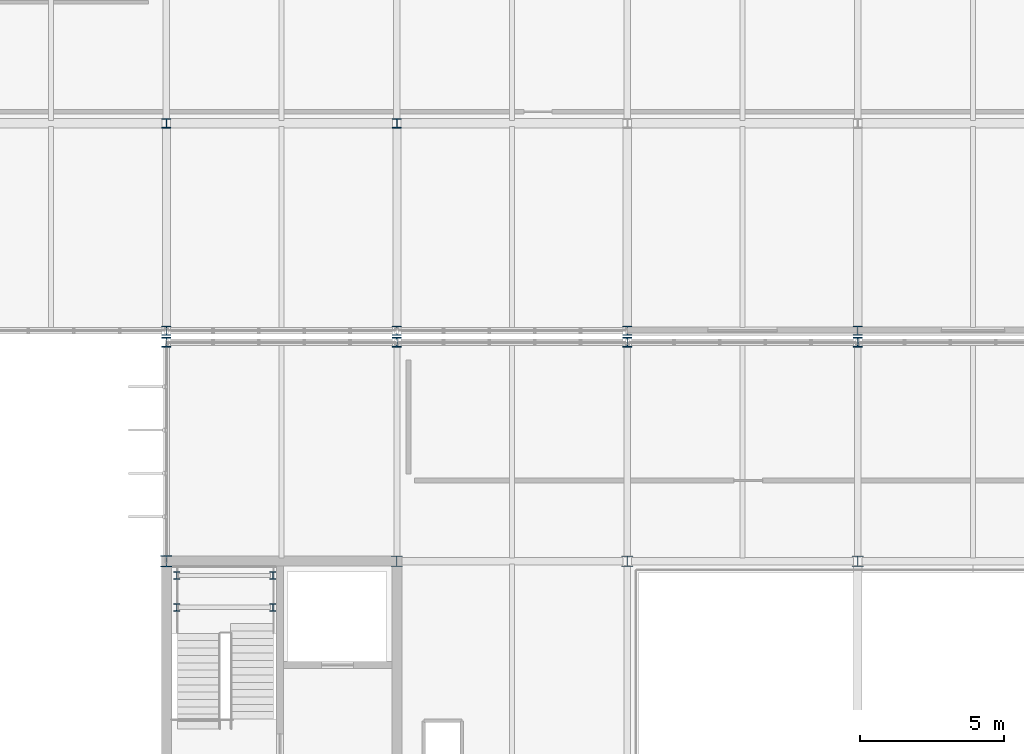
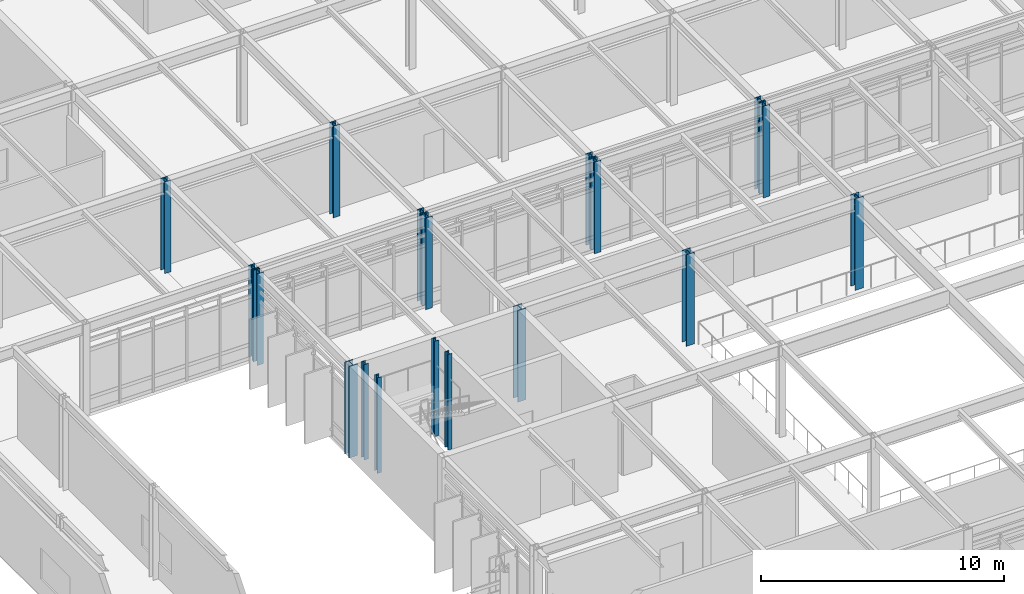
# One storey, part 10 of 104: 18 columns.
"""IFC4 building model written with IfcOpenShell, lengths in metres."""

from ifc_helpers import new_model, si_unit, direction, frame, origin, origin_2d, place, context, subcontext, project, spatial, i_section, extrude, material, material_profile, profile_set, type_object, element, save


model = new_model("IFC4")

# Units and contexts
model_context = context("Model", 3, precision=1e-05, world=origin(), true_north=direction((0.0, 1.0)))
body_context = subcontext(model_context, "Body", "Model", "MODEL_VIEW")
ifc_project = project(units=[si_unit("LENGTHUNIT", "METRE"), si_unit("AREAUNIT", "SQUARE_METRE"), si_unit("VOLUMEUNIT", "CUBIC_METRE"), si_unit("PLANEANGLEUNIT", "RADIAN"), si_unit("MASSUNIT", "GRAM", prefix="KILO")], contexts=[model_context])

# Site, building, storey
site_placement = place(None, origin())
site = spatial("IfcSite", under=ifc_project, at=site_placement, CompositionType="ELEMENT")
building_placement = place(site_placement, origin())
building = spatial("IfcBuilding", under=site, at=building_placement, Name="Zulena Civic Courthouse", CompositionType="ELEMENT")
storey_placement = place(building_placement, frame((0.0, 0.0, 15.60009765625)))
storey = spatial("IfcBuildingStorey", under=building, at=storey_placement, Name="L03", CompositionType="ELEMENT", Elevation=15.60009765625)

# Columns
ifc_material = material(Name="Steel ASTM A992 Grade 50", Category="steel")
ifc_material_profile_1 = material_profile(ifc_material, i_section(OverallWidth=0.2041015625, OverallDepth=0.257080078125, WebThickness=0.0087890625, FlangeThickness=0.015625, FilletRadius=0.0126953125, at=origin_2d()), Name="W10X45")
ifc_profile_set_1 = profile_set([ifc_material_profile_1], Name="Steel ASTM A992 Grade 50")
column_type_1 = type_object("IfcColumnType", Name="Col_W10X45", PredefinedType="COLUMN", material=ifc_profile_set_1)
for number, where, z_axis, x_axis, name in (
    (1, (68.360107421875, 36.39990234375, 0.0), (0.0, 0.0, 1.0), (1.0, 0.0, 0.0), "col:lnd:K4A:L03:0:0"),
    (2, (71.699951171875, 36.39990234375, 0.0), (0.0, 0.0, 1.0), (1.0, 0.0, 0.0), "col:lnd:K4A:L03:0:1"),
    (3, (68.360107421875, 37.5, 0.0), (0.0, 0.0, 1.0), (1.0, 0.0, 0.0), "col:lnd:K4A:L03:1:0"),
    (4, (71.699951171875, 37.5, 0.0), (0.0, 0.0, 1.0), (1.0, 0.0, 0.0), "col:lnd:K4A:L03:1:1"),
):
    element("IfcColumn", number, at=place(storey_placement, frame(where, z_axis=z_axis, x_axis=x_axis)), inside=storey, type_object=column_type_1, Name=name, PredefinedType="COLUMN", context=body_context, shape_type="SweptSolid", body=[
        extrude(i_section(OverallWidth=0.2041015625, OverallDepth=0.257080078125, WebThickness=0.0087890625, FlangeThickness=0.015625, FilletRadius=0.0126953125, at=origin_2d()), origin(), (0.0, 0.0, 1.0), 4.794921875),
    ])
ifc_material_profile_2 = material_profile(ifc_material, i_section(OverallWidth=0.31298828125, OverallDepth=0.3330078125, WebThickness=0.01806640625, FlangeThickness=0.0283203125, FilletRadius=0.01513671875, at=origin_2d()), Name="W12X120")
ifc_profile_set_2 = profile_set([ifc_material_profile_2], Name="Steel ASTM A992 Grade 50")
column_type_2 = type_object("IfcColumnType", Name="Col_W12X120", PredefinedType="COLUMN", material=ifc_profile_set_2)
for number, where, z_axis, x_axis, name in (
    (5, (68.0, 45.60009765625, 0.0), (0.0, 0.0, 1.0), (1.0, 0.0, 0.0), "col:V4:L03:68.0:45.6"),
    (6, (76.0, 45.60009765625, 0.0), (0.0, 0.0, 1.0), (1.0, 0.0, 0.0), "col:V4:L03:76.0:45.6"),
    (7, (84.0, 45.60009765625, 0.0), (0.0, 0.0, 1.0), (1.0, 0.0, 0.0), "col:V4:L03:84.0:45.6"),
    (8, (92.0, 45.60009765625, 0.0), (0.0, 0.0, 1.0), (1.0, 0.0, 0.0), "col:V4:L03:92.0:45.6"),
    (9, (68.0, 53.199951171875, 0.0), (0.0, 0.0, 1.0), (1.0, 0.0, 0.0), "col:V5:L03:68.0:53.2"),
    (10, (76.0, 53.199951171875, 0.0), (0.0, 0.0, 1.0), (1.0, 0.0, 0.0), "col:V5:L03:76.0:53.2"),
):
    element("IfcColumn", number, at=place(storey_placement, frame(where, z_axis=z_axis, x_axis=x_axis)), inside=storey, type_object=column_type_2, Name=name, PredefinedType="COLUMN", context=body_context, shape_type="SweptSolid", body=[
        extrude(i_section(OverallWidth=0.31298828125, OverallDepth=0.3330078125, WebThickness=0.01806640625, FlangeThickness=0.0283203125, FilletRadius=0.01513671875, at=origin_2d()), origin(), (0.0, 0.0, 1.0), 4.58984375),
    ])
ifc_material_profile_3 = material_profile(ifc_material, i_section(OverallWidth=0.30908203125, OverallDepth=0.322998046875, WebThickness=0.013916015625, FlangeThickness=0.02294921875, FilletRadius=0.01513671875, at=origin_2d()), Name="W12X96")
ifc_profile_set_3 = profile_set([ifc_material_profile_3], Name="Steel ASTM A992 Grade 50")
column_type_3 = type_object("IfcColumnType", Name="Col_W12X96", PredefinedType="COLUMN", material=ifc_profile_set_3)
for number, where, z_axis, x_axis, name in (
    (11, (68.0, 46.0, 0.0), (0.0, 0.0, 1.0), (1.0, 0.0, 0.0), "col:V5:L03:68.0:46.0"),
    (12, (76.0, 46.0, 0.0), (0.0, 0.0, 1.0), (1.0, 0.0, 0.0), "col:V5:L03:76.0:46.0"),
    (13, (84.0, 46.0, 0.0), (0.0, 0.0, 1.0), (1.0, 0.0, 0.0), "col:V5:L03:84.0:46.0"),
    (14, (92.0, 46.0, 0.0), (0.0, 0.0, 1.0), (1.0, 0.0, 0.0), "col:V5:L03:92.0:46.0"),
):
    element("IfcColumn", number, at=place(storey_placement, frame(where, z_axis=z_axis, x_axis=x_axis)), inside=storey, type_object=column_type_3, Name=name, PredefinedType="COLUMN", context=body_context, shape_type="SweptSolid", body=[
        extrude(i_section(OverallWidth=0.30908203125, OverallDepth=0.322998046875, WebThickness=0.013916015625, FlangeThickness=0.02294921875, FilletRadius=0.01513671875, at=origin_2d()), origin(), (0.0, 0.0, 1.0), 4.58984375),
    ])
ifc_material_profile_4 = material_profile(ifc_material, i_section(OverallWidth=0.39404296875, OverallDepth=0.3759765625, WebThickness=0.017333984375, FlangeThickness=0.027587890625, FilletRadius=0.01513671875, at=origin_2d()), Name="W14X145")
ifc_profile_set_4 = profile_set([ifc_material_profile_4], Name="Steel ASTM A992 Grade 50")
column_type_4 = type_object("IfcColumnType", Name="Col_W14X145", PredefinedType="COLUMN", material=ifc_profile_set_4)
for number, where, z_axis, x_axis, name in (
    (15, (76.0, 38.0, 0.0), (0.0, 0.0, 1.0), (1.0, 0.0, 0.0), "col:V4:L03:76.0:38.0"),
    (16, (84.0, 38.0, 0.0), (0.0, 0.0, 1.0), (1.0, 0.0, 0.0), "col:V4:L03:84.0:38.0"),
    (17, (92.0, 38.0, 0.0), (0.0, 0.0, 1.0), (1.0, 0.0, 0.0), "col:V4:L03:92.0:38.0"),
):
    element("IfcColumn", number, at=place(storey_placement, frame(where, z_axis=z_axis, x_axis=x_axis)), inside=storey, type_object=column_type_4, Name=name, PredefinedType="COLUMN", context=body_context, shape_type="SweptSolid", body=[
        extrude(i_section(OverallWidth=0.39404296875, OverallDepth=0.3759765625, WebThickness=0.017333984375, FlangeThickness=0.027587890625, FilletRadius=0.01513671875, at=origin_2d()), origin(), (0.0, 0.0, 1.0), 4.58984375),
    ])
ifc_material_profile_5 = material_profile(ifc_material, i_section(OverallWidth=0.39892578125, OverallDepth=0.386962890625, WebThickness=0.02099609375, FlangeThickness=0.033203125, FilletRadius=0.01513671875, at=origin_2d()), Name="W14X176")
ifc_profile_set_5 = profile_set([ifc_material_profile_5], Name="Steel ASTM A992 Grade 50")
column_type_5 = type_object("IfcColumnType", Name="Col_W14X176", PredefinedType="COLUMN", material=ifc_profile_set_5)
column_placement = place(storey_placement, frame((68.0, 38.0, 0.0), z_axis=(0.0, 0.0, 1.0), x_axis=(1.0, 0.0, 0.0)))
element("IfcColumn", 18, at=column_placement, inside=storey, type_object=column_type_5, Name="col:V4:L03:68.0:38.0", PredefinedType="COLUMN", context=body_context, shape_type="SweptSolid", body=[
    extrude(i_section(OverallWidth=0.39892578125, OverallDepth=0.386962890625, WebThickness=0.02099609375, FlangeThickness=0.033203125, FilletRadius=0.01513671875, at=origin_2d()), origin(), (0.0, 0.0, 1.0), 4.58984375),
])

save(model, "model.ifc")
